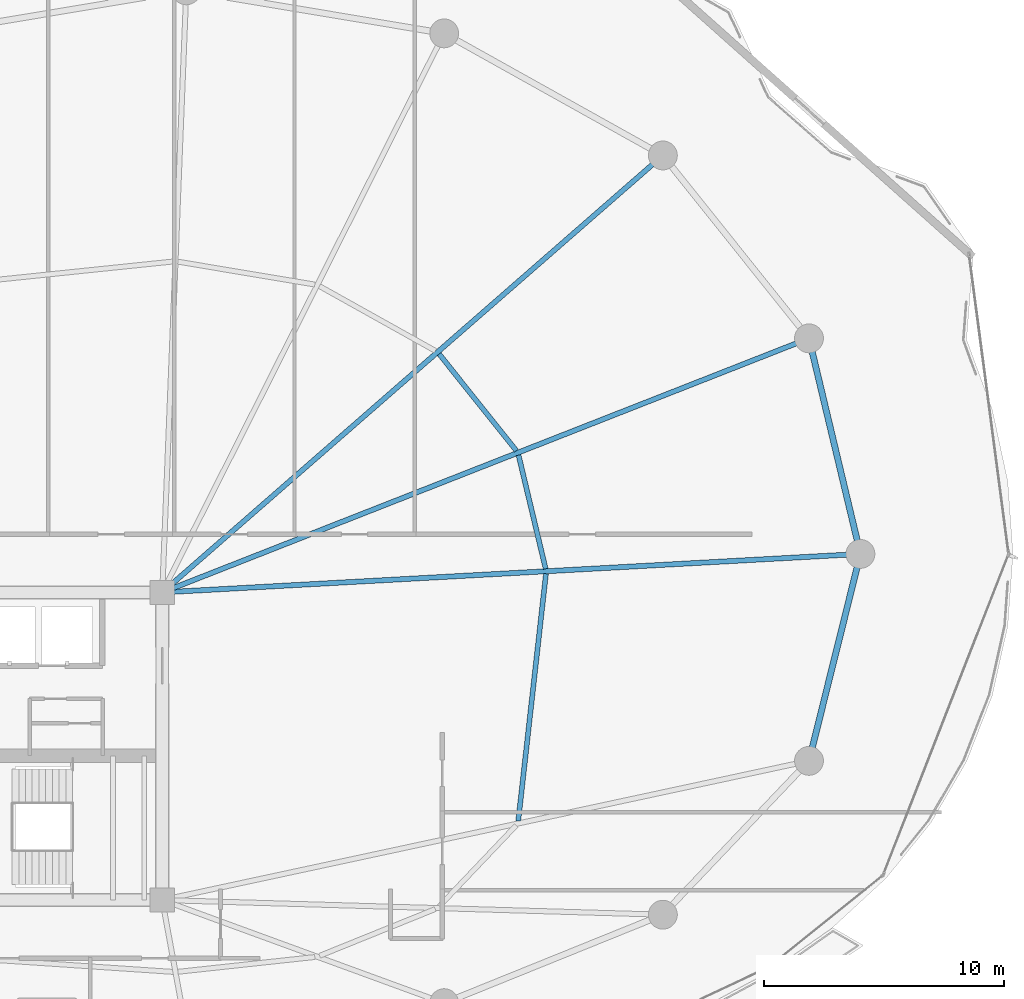
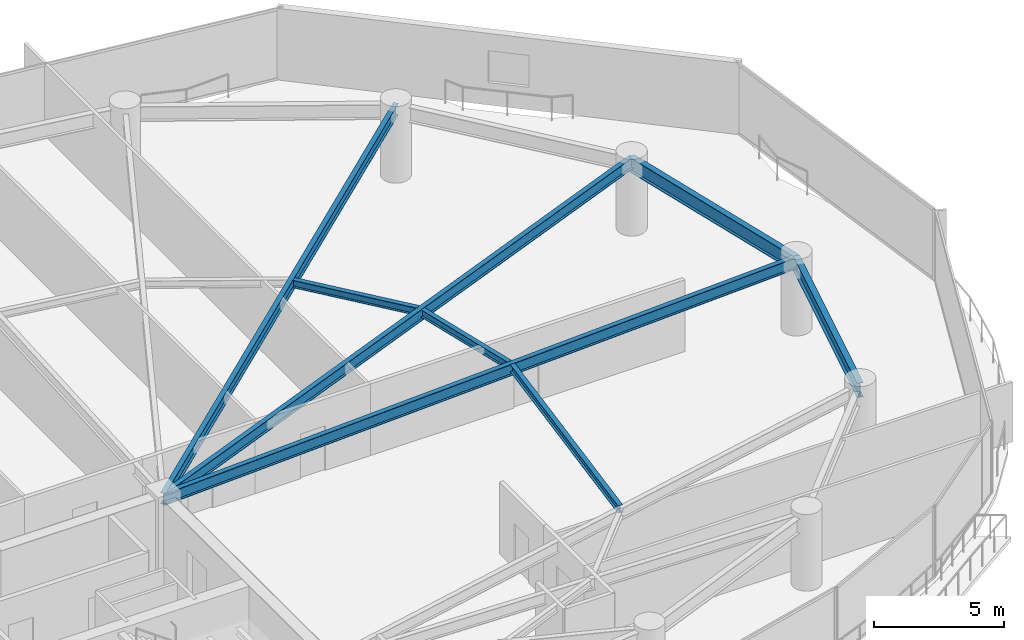
# One storey, part 16 of 33: 8 beams.
"""IFC4 building model written with IfcOpenShell, lengths in metres."""

from ifc_helpers import new_model, si_unit, direction, frame, origin, origin_2d, place, context, subcontext, project, spatial, i_section, extrude, material, material_profile, profile_set, type_object, element, save


model = new_model("IFC4")

# Units and contexts
model_context = context("Model", 3, precision=1e-05, world=origin(), true_north=direction((0.0, 1.0)))
body_context = subcontext(model_context, "Body", "Model", "MODEL_VIEW")
ifc_project = project(units=[si_unit("LENGTHUNIT", "METRE"), si_unit("AREAUNIT", "SQUARE_METRE"), si_unit("VOLUMEUNIT", "CUBIC_METRE"), si_unit("PLANEANGLEUNIT", "RADIAN"), si_unit("MASSUNIT", "GRAM", prefix="KILO")], contexts=[model_context])

# Site, building, storey
site_placement = place(None, origin())
site = spatial("IfcSite", under=ifc_project, at=site_placement, CompositionType="ELEMENT")
building_placement = place(site_placement, origin())
building = spatial("IfcBuilding", under=site, at=building_placement, Name="Kazevale Care Tower and Concert Hall", CompositionType="ELEMENT")
storey_placement = place(building_placement, frame((0.0, 0.0, 153.0)))
storey = spatial("IfcBuildingStorey", under=building, at=storey_placement, Name="L40", CompositionType="ELEMENT", Elevation=153.0)

# Beams
ifc_material = material(Name="Steel ASTM A572 Gr 50", Category="steel")
ifc_material_profile_1 = material_profile(ifc_material, i_section(OverallWidth=0.2119140625, OverallDepth=0.5439453125, WebThickness=0.01318359375, FlangeThickness=0.021240234375, at=origin_2d()), Name="W530x123")
ifc_profile_set_1 = profile_set([ifc_material_profile_1], Name="Steel ASTM A572 Gr 50")
beam_type_1 = type_object("IfcBeamType", Name="Radial Floor Girder W530x123", PredefinedType="BEAM", material=ifc_profile_set_1)
beam_1_placement = place(storey_placement, frame((44.0, 36.39990234375, 3.087890625), z_axis=(0.998486500016, 0.054997357076, 0.0), x_axis=(-0.054997357076, 0.998486500016, 0.0)))
element("IfcBeam", 1, at=beam_1_placement, inside=storey, type_object=beam_type_1, Name="beam:L40:rad:01", PredefinedType="BEAM", context=body_context, shape_type="SweptSolid", body=[
    extrude(i_section(OverallWidth=0.2119140625, OverallDepth=0.5439453125, WebThickness=0.01318359375, FlangeThickness=0.021240234375, at=origin_2d()), origin(), (0.0, 0.0, 1.0), 29.093994140625),
])
beam_2_placement = place(storey_placement, frame((44.0, 36.39990234375, 3.087890625), z_axis=(0.930771301513, 0.36560194786, 0.0), x_axis=(-0.36560194786, 0.930771301513, 0.0)))
element("IfcBeam", 2, at=beam_2_placement, inside=storey, type_object=beam_type_1, Name="beam:L40:rad:02", PredefinedType="BEAM", context=body_context, shape_type="SweptSolid", body=[
    extrude(i_section(OverallWidth=0.2119140625, OverallDepth=0.5439453125, WebThickness=0.01318359375, FlangeThickness=0.021240234375, at=origin_2d()), origin(), (0.0, 0.0, 1.0), 28.911376953125),
])
beam_3_placement = place(storey_placement, frame((44.0, 36.39990234375, 3.087890625), z_axis=(0.753403181998, 0.657558853149, 0.0), x_axis=(-0.657558853149, 0.753403181998, 0.0)))
element("IfcBeam", 3, at=beam_3_placement, inside=storey, type_object=beam_type_1, Name="beam:L40:rad:03", PredefinedType="BEAM", context=body_context, shape_type="SweptSolid", body=[
    extrude(i_section(OverallWidth=0.2119140625, OverallDepth=0.5439453125, WebThickness=0.01318359375, FlangeThickness=0.021240234375, at=origin_2d()), origin(), (0.0, 0.0, 1.0), 27.64794921875),
])
ifc_material_profile_2 = material_profile(ifc_material, i_section(OverallWidth=0.205078125, OverallDepth=0.35400390625, WebThickness=0.009521484375, FlangeThickness=0.016845703125, at=origin_2d()), Name="W360x79")
ifc_profile_set_2 = profile_set([ifc_material_profile_2], Name="Steel ASTM A572 Gr 50")
beam_type_2 = type_object("IfcBeamType", Name="Secondary Floor Joist W360x79", PredefinedType="JOIST", material=ifc_profile_set_2)
beam_4_placement = place(storey_placement, frame((59.952880859375, 37.382080078125, 3.18310546875), z_axis=(-0.232005223279, 0.972714540023, 0.0), x_axis=(-0.972714540023, -0.232005223279, 0.0)))
element("IfcBeam", 4, at=beam_4_placement, inside=storey, type_object=beam_type_2, Name="beam:L40:joist:01", PredefinedType="JOIST", context=body_context, shape_type="SweptSolid", body=[
    extrude(i_section(OverallWidth=0.205078125, OverallDepth=0.35400390625, WebThickness=0.009521484375, FlangeThickness=0.016845703125, at=origin_2d()), origin(), (0.0, 0.0, 1.0), 4.861572265625),
])
beam_5_placement = place(storey_placement, frame((58.735107421875, 42.2958984375, 3.18310546875), z_axis=(-0.624261115922, 0.781215757104, 0.0), x_axis=(-0.781215757104, -0.624261115922, 0.0)))
element("IfcBeam", 5, at=beam_5_placement, inside=storey, type_object=beam_type_2, Name="beam:L40:joist:02", PredefinedType="JOIST", context=body_context, shape_type="SweptSolid", body=[
    extrude(i_section(OverallWidth=0.205078125, OverallDepth=0.35400390625, WebThickness=0.009521484375, FlangeThickness=0.016845703125, at=origin_2d()), origin(), (0.0, 0.0, 1.0), 5.147216796875),
])
beam_6_placement = place(storey_placement, frame((58.81201171875, 26.888916015625, 3.18310546875), z_axis=(0.111485011105, 0.993766115491, 0.0), x_axis=(-0.993766115491, 0.111485011105, 0.0)))
element("IfcBeam", 6, at=beam_6_placement, inside=storey, type_object=beam_type_2, Name="beam:L40:joist:16", PredefinedType="JOIST", context=body_context, shape_type="SweptSolid", body=[
    extrude(i_section(OverallWidth=0.205078125, OverallDepth=0.35400390625, WebThickness=0.009521484375, FlangeThickness=0.016845703125, at=origin_2d()), origin(), (0.0, 0.0, 1.0), 10.3515625),
])
ifc_material_profile_3 = material_profile(ifc_material, i_section(OverallWidth=0.256103515625, OverallDepth=0.693115234375, WebThickness=0.014404296875, FlangeThickness=0.023681640625, at=origin_2d()), Name="W690x170")
ifc_profile_set_3 = profile_set([ifc_material_profile_3], Name="Steel ASTM A572 Gr 50")
beam_type_3 = type_object("IfcBeamType", Name="Waist Ring Beam W690x170", PredefinedType="BEAM", material=ifc_profile_set_3)
beam_7_placement = place(storey_placement, frame((73.050048828125, 38.0, 3.013427734375), z_axis=(-0.232075055882, 0.972697881378, 0.0), x_axis=(-0.972697881378, -0.232075055882, 0.0)))
element("IfcBeam", 7, at=beam_7_placement, inside=storey, type_object=beam_type_3, Name="beam:L40:ring:01", PredefinedType="BEAM", context=body_context, shape_type="SweptSolid", body=[
    extrude(i_section(OverallWidth=0.256103515625, OverallDepth=0.693115234375, WebThickness=0.014404296875, FlangeThickness=0.023681640625, at=origin_2d()), origin(), (0.0, 0.0, 1.0), 9.2216796875),
])
beam_8_placement = place(storey_placement, frame((70.909912109375, 29.389892578125, 3.013427734375), z_axis=(0.241221022882, 0.970470204653, 0.0), x_axis=(-0.970470204653, 0.241221022882, 0.0)))
element("IfcBeam", 8, at=beam_8_placement, inside=storey, type_object=beam_type_3, Name="beam:L40:ring:16", PredefinedType="BEAM", context=body_context, shape_type="SweptSolid", body=[
    extrude(i_section(OverallWidth=0.256103515625, OverallDepth=0.693115234375, WebThickness=0.014404296875, FlangeThickness=0.023681640625, at=origin_2d()), origin(), (0.0, 0.0, 1.0), 8.8720703125),
])

save(model, "model.ifc")
